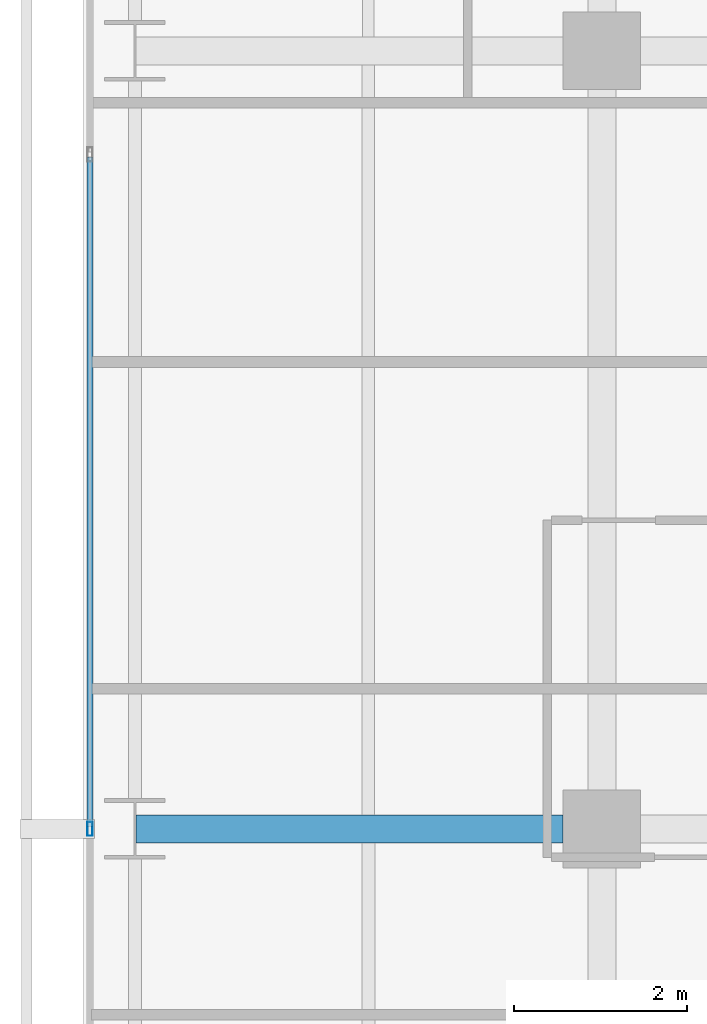
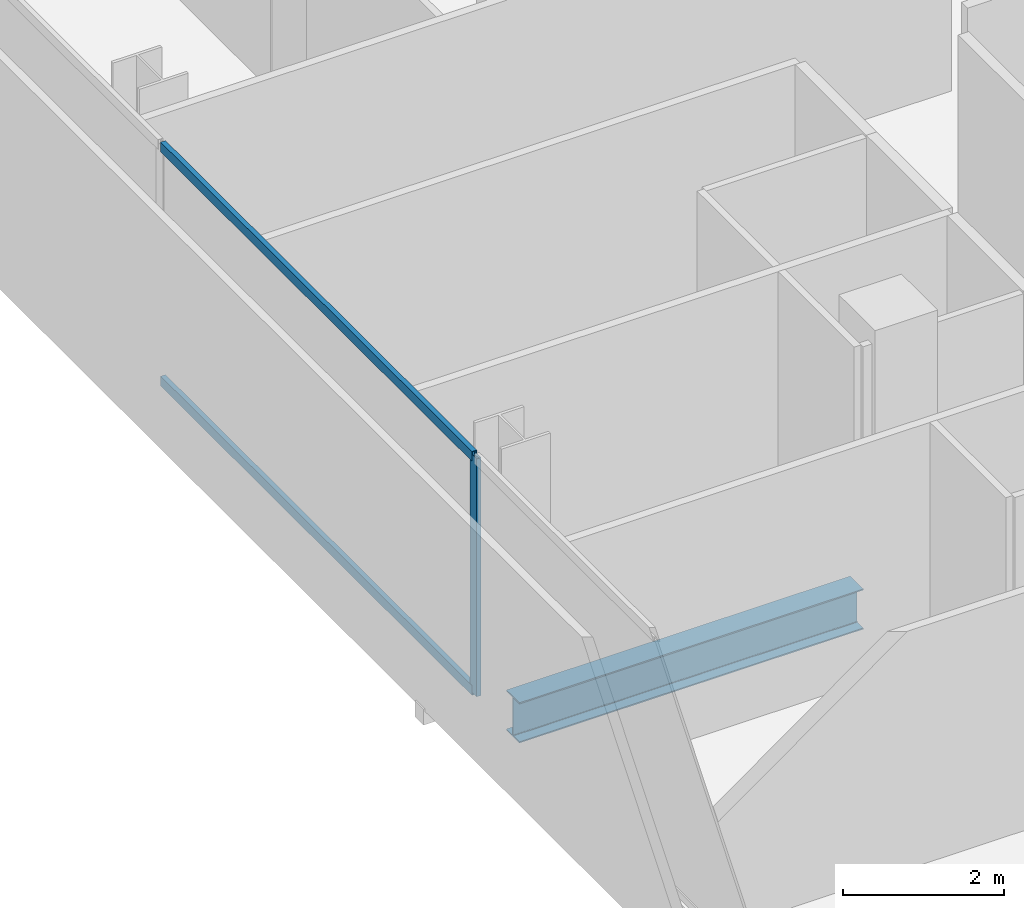
# One storey, part 12 of 40: 3 members, 1 beam, 1 element without a shape of its own.
"""IFC4 building model written with IfcOpenShell, lengths in metres."""

from ifc_helpers import new_model, si_unit, direction, frame, origin, origin_2d, place, context, subcontext, project, spatial, hollow_rectangle, i_section, extrude, material, layer, layer_set, material_profile, profile_set, type_object, element, aggregate, save


model = new_model("IFC4")

# Units and contexts
model_context = context("Model", 3, precision=1e-05, world=origin(), true_north=direction((0.0, 1.0)))
body_context = subcontext(model_context, "Body", "Model", "MODEL_VIEW")
ifc_project = project(units=[si_unit("LENGTHUNIT", "METRE"), si_unit("AREAUNIT", "SQUARE_METRE"), si_unit("VOLUMEUNIT", "CUBIC_METRE"), si_unit("PLANEANGLEUNIT", "RADIAN"), si_unit("MASSUNIT", "GRAM", prefix="KILO")], contexts=[model_context])

# Site, building, storey
site_placement = place(None, origin())
site = spatial("IfcSite", under=ifc_project, at=site_placement, CompositionType="ELEMENT")
building_placement = place(site_placement, origin())
building = spatial("IfcBuilding", under=site, at=building_placement, Name="Maruvema Waterfront Hotel and Observation Tower", CompositionType="ELEMENT")
storey_placement = place(building_placement, frame((0.0, 0.0, 100.10009765625)))
storey = spatial("IfcBuildingStorey", under=building, at=storey_placement, Name="L24", CompositionType="ELEMENT", Elevation=100.10009765625)

# Curtain wall, members
ifc_material_1 = material(Name="Anodised bronze aluminium and solar-control low-E IGU", Category="aluminium")
ifc_layer = layer(ifc_material_1, 0.159912109375, Name="Zone 1 Bronze Inner Thermal Curtain Wall System CW-02")
ifc_layer_set = layer_set([ifc_layer], Name="Anodised bronze aluminium and solar-control low-E IGU")
curtain_wall_type = type_object("IfcCurtainWallType", Name="Zone 1 Bronze Inner Thermal Curtain Wall System CW-02", PredefinedType="USERDEFINED", material=ifc_layer_set)
curtain_wall_placement = place(storey_placement, origin())
curtain_wall = element("IfcCurtainWall", 1, at=curtain_wall_placement, inside=storey, type_object=curtain_wall_type, Name="L24 Curtain Wall CW-L24-W", ObjectType="UNITISED CURTAIN WALL", PredefinedType="USERDEFINED")
ifc_material_2 = material(Name="Anodised architectural bronze aluminium", Category="aluminium")
ifc_material_profile_1 = material_profile(ifc_material_2, hollow_rectangle(XDim=0.070068359375, YDim=0.14990234375, WallThickness=0.00390625, at=origin_2d()), Name="ALU-T70x150")
ifc_profile_set_1 = profile_set([ifc_material_profile_1], Name="Anodised architectural bronze aluminium")
member_type_1 = type_object("IfcMemberType", Name="Curtain Wall Horizontal Transom ALU-T70x150", PredefinedType="USERDEFINED", material=ifc_profile_set_1)
member_1_placement = place(storey_placement, frame((10.8798828125, 34.77001953125, 0.02978515625), z_axis=(0.0, -1.0, 0.0), x_axis=(1.0, 0.0, 0.0)))
member_1 = element("IfcMember", 2, at=member_1_placement, type_object=member_type_1, Name="CW-02 transom 3.1", ObjectType="TRANSOM", PredefinedType="USERDEFINED", context=body_context, shape_type="SweptSolid", body=[
    extrude(hollow_rectangle(XDim=0.070068359375, YDim=0.14990234375, WallThickness=0.00390625, at=origin_2d()), origin(), (0.0, 0.0, 1.0), 7.739990234375),
])
member_2_placement = place(storey_placement, frame((10.8798828125, 34.77001953125, 3.579833984375), z_axis=(0.0, -1.0, 0.0), x_axis=(1.0, 0.0, 0.0)))
member_2 = element("IfcMember", 3, at=member_2_placement, type_object=member_type_1, Name="CW-02 transom 3.2", ObjectType="TRANSOM", PredefinedType="USERDEFINED", context=body_context, shape_type="SweptSolid", body=[
    extrude(hollow_rectangle(XDim=0.070068359375, YDim=0.14990234375, WallThickness=0.00390625, at=origin_2d()), origin(), (0.0, 0.0, 1.0), 7.739990234375),
])
ifc_material_3 = material(Name="Anodised architectural bronze aluminium", Category="aluminium")
ifc_material_profile_2 = material_profile(ifc_material_3, hollow_rectangle(XDim=0.06494140625, YDim=0.1650390625, WallThickness=0.00390625, at=origin_2d()), Name="ALU-M65x165")
ifc_profile_set_2 = profile_set([ifc_material_profile_2], Name="Anodised architectural bronze aluminium")
member_type_2 = type_object("IfcMemberType", Name="Curtain Wall Primary Mullion ALU-M65x165", PredefinedType="MULLION", material=ifc_profile_set_2)
member_3_placement = place(storey_placement, frame((10.8798828125, 27.0, 0.0), z_axis=(0.0, 0.0, 1.0), x_axis=(1.0, 0.0, 0.0)))
member_3 = element("IfcMember", 4, at=member_3_placement, type_object=member_type_2, Name="CW-02 mullion 4", PredefinedType="MULLION", context=body_context, shape_type="SweptSolid", body=[
    extrude(hollow_rectangle(XDim=0.06494140625, YDim=0.1650390625, WallThickness=0.00390625, at=origin_2d()), origin(), (0.0, 0.0, 1.0), 3.60986328125),
])
aggregate(curtain_wall, [member_3, member_1, member_2])

# Beam
ifc_material_4 = material(Name="Steel ASTM A572 Grade 50", Category="steel")
ifc_material_profile_3 = material_profile(ifc_material_4, i_section(OverallWidth=0.323974609375, OverallDepth=0.611083984375, WebThickness=0.0126953125, FlangeThickness=0.01904296875, FilletRadius=0.01806640625, at=origin_2d()), Name="W610x155.0")
ifc_profile_set_3 = profile_set([ifc_material_profile_3], Name="Steel ASTM A572 Grade 50")
beam_type = type_object("IfcBeamType", Name="Primary Floor Girder W610x155.0", PredefinedType="BEAM", material=ifc_profile_set_3)
beam_placement = place(storey_placement, frame((11.4140625, 27.0, -0.545654296875), z_axis=(1.0, 0.0, 0.0), x_axis=(0.0, 1.0, 0.0)))
element("IfcBeam", 5, at=beam_placement, inside=storey, type_object=beam_type, Name="L24 Floor Girder EW-20", PredefinedType="BEAM", context=body_context, shape_type="SweptSolid", body=[
    extrude(i_section(OverallWidth=0.323974609375, OverallDepth=0.611083984375, WebThickness=0.0126953125, FlangeThickness=0.01904296875, FilletRadius=0.01806640625, at=origin_2d()), origin(), (0.0, 0.0, 1.0), 4.93603515625),
])

save(model, "model.ifc")
